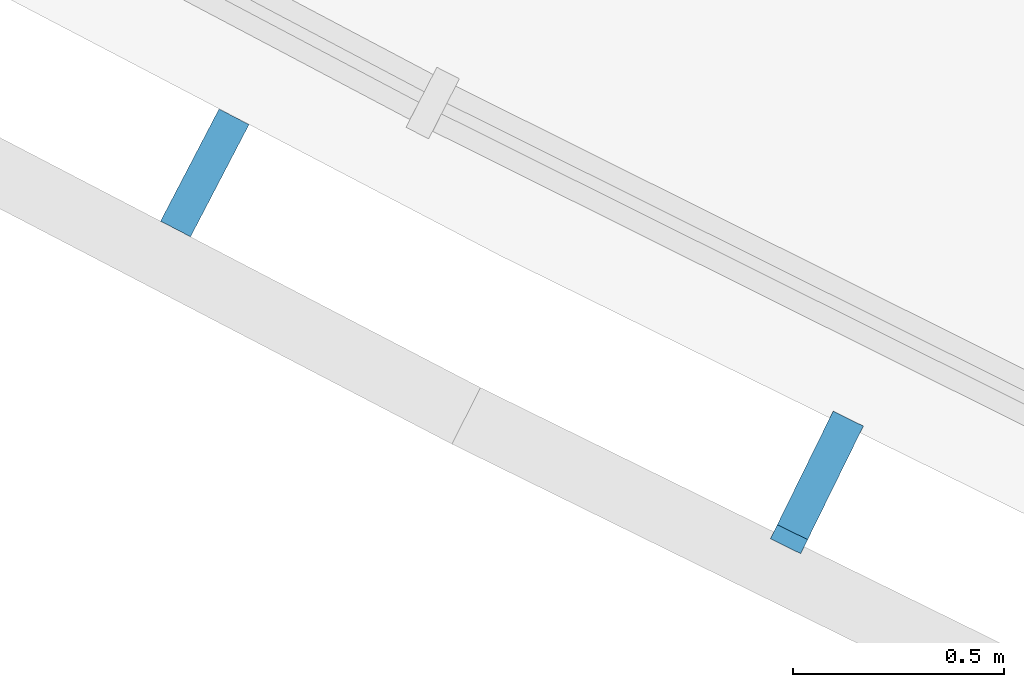
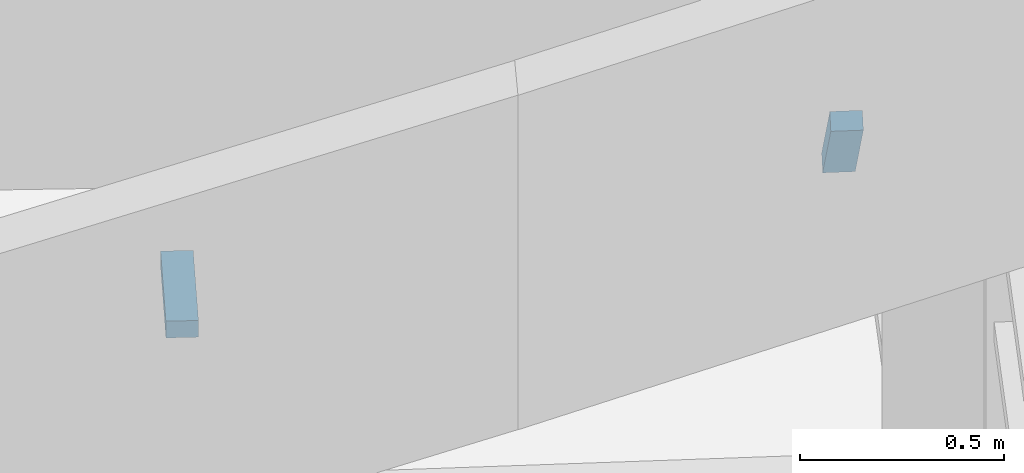
# One storey, part 93 of 137: 2 discrete accessories.
"""IFC4 building model written with IfcOpenShell, lengths in metres."""

from ifc_helpers import new_model, si_unit, direction, frame, origin, origin_2d, place, context, subcontext, project, spatial, rectangle, extrude, material, material_profile, profile_set, type_object, element, save


model = new_model("IFC4")

# Units and contexts
model_context = context("Model", 3, precision=1e-05, world=origin(), true_north=direction((0.0, 1.0)))
body_context = subcontext(model_context, "Body", "Model", "MODEL_VIEW")
ifc_project = project(units=[si_unit("LENGTHUNIT", "METRE"), si_unit("AREAUNIT", "SQUARE_METRE"), si_unit("VOLUMEUNIT", "CUBIC_METRE"), si_unit("PLANEANGLEUNIT", "RADIAN"), si_unit("MASSUNIT", "GRAM", prefix="KILO")], contexts=[model_context])

# Site, building, storey
site_placement = place(None, origin())
site = spatial("IfcSite", under=ifc_project, at=site_placement, CompositionType="ELEMENT")
building_placement = place(site_placement, origin())
building = spatial("IfcBuilding", under=site, at=building_placement, Name="Bougainvillea Quay General Hospital", CompositionType="ELEMENT")
storey_placement = place(building_placement, frame((0.0, 0.0, 16.800048828125)))
storey = spatial("IfcBuildingStorey", under=building, at=storey_placement, Name="L03", CompositionType="ELEMENT", Elevation=16.800048828125)

# Discrete accessories
ifc_material = material(Name="Stainless steel bracket, grade 316", Category="steel")
ifc_material_profile = material_profile(ifc_material, rectangle(XDim=0.080078125, YDim=0.050048828125, at=origin_2d()))
ifc_profile_set = profile_set([ifc_material_profile], Name="Stainless steel bracket, grade 316")
discrete_accessory_type = type_object("IfcDiscreteAccessoryType", Name="Stainless steel stand-off bracket 80x50", PredefinedType="BRACKET", material=ifc_profile_set)
discrete_accessory_1_placement = place(storey_placement, frame((76.887451171875, 63.909423828125, 3.91357421875), z_axis=(-0.462121071218, -0.886816844414, 0.0), x_axis=(0.886816844414, -0.462121071218, 0.0)))
element("IfcDiscreteAccessory", 1, at=discrete_accessory_1_placement, inside=storey, type_object=discrete_accessory_type, Name="Fascia bracket a01 34", PredefinedType="BRACKET", context=body_context, shape_type="SweptSolid", body=[
    extrude(rectangle(XDim=0.080078125, YDim=0.050048828125, at=origin_2d()), origin(), (0.0, 0.0, 1.0), 0.300048828125),
])
discrete_accessory_2_placement = place(storey_placement, frame((78.335693359375, 63.177001953125, 4.139892578125), z_axis=(-0.29485005039, -0.600036172656, 0.74365317137), x_axis=(0.897497826972, -0.441018877805, 0.0)))
element("IfcDiscreteAccessory", 2, at=discrete_accessory_2_placement, inside=storey, type_object=discrete_accessory_type, Name="Fascia bracket a01 35", PredefinedType="BRACKET", context=body_context, shape_type="SweptSolid", body=[
    extrude(rectangle(XDim=0.080078125, YDim=0.050048828125, at=origin_2d()), origin(), (0.0, 0.0, 1.0), 0.44873046875),
])

save(model, "model.ifc")
